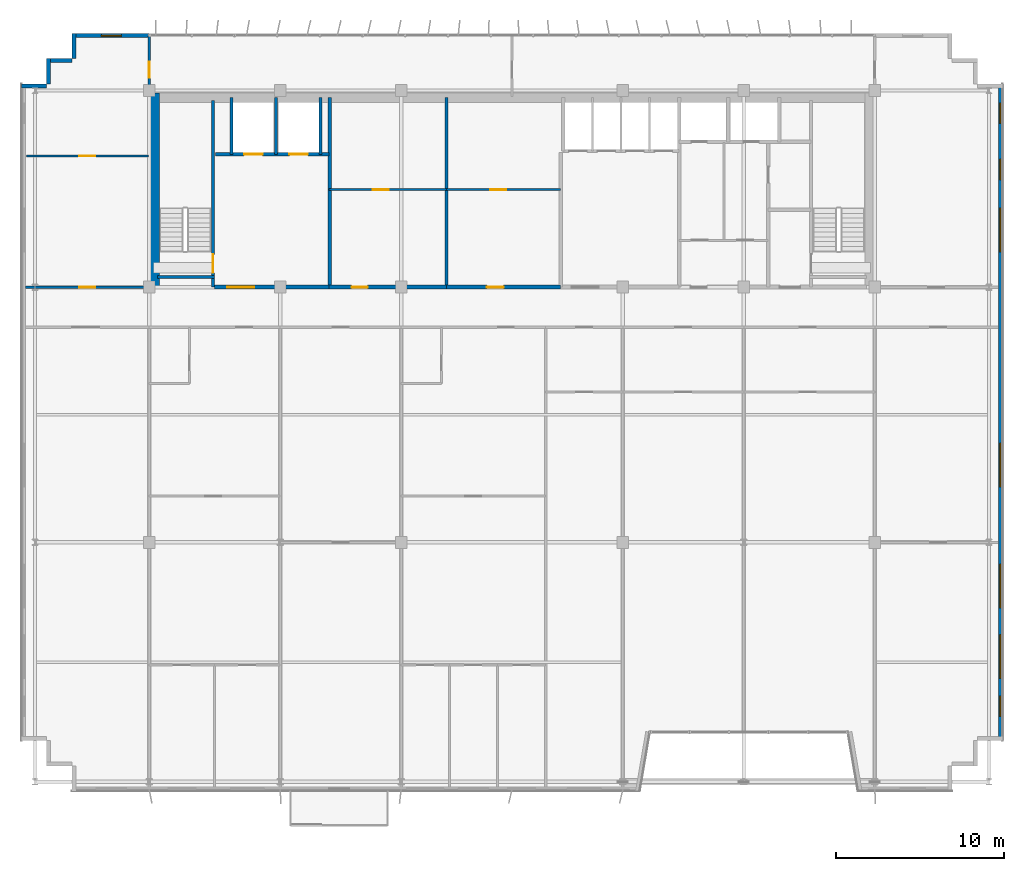
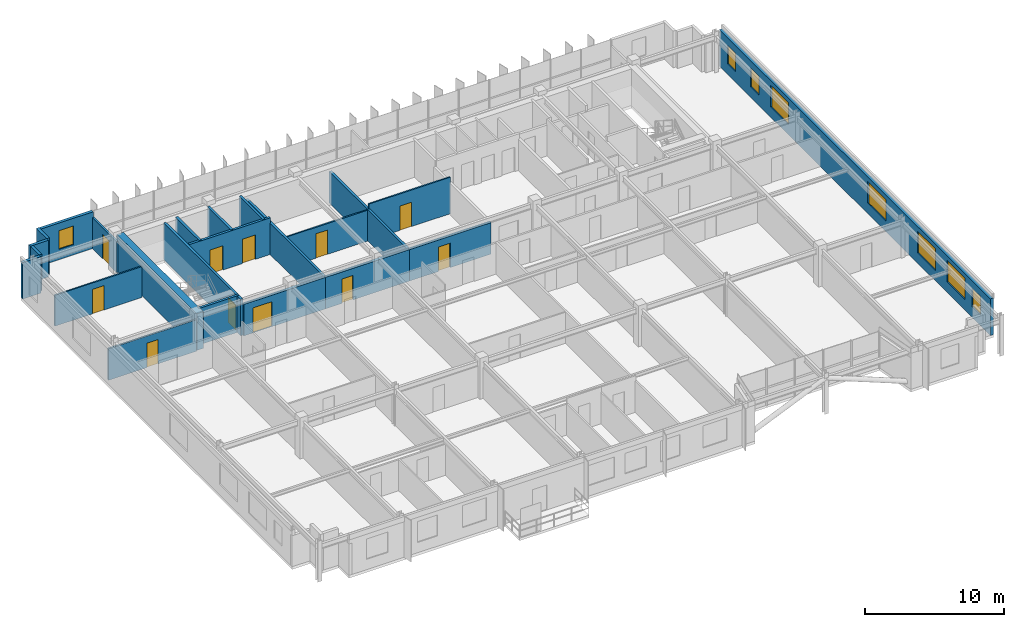
# One storey, part 23 of 27: 23 walls, 11 doors, 8 windows, 19 openings.
"""IFC4 building model written with IfcOpenShell, lengths in metres."""

from ifc_helpers import new_model, si_unit, direction, frame, frame_2d, origin, place, context, subcontext, project, spatial, rectangle, extrude, source, transform, mapped, material, layer, layer_set, type_object, element, fill, save


model = new_model("IFC4")

# Units and contexts
model_context = context("Model", 3, precision=1e-05, world=origin(), true_north=direction((0.0, 1.0)))
body_context = subcontext(model_context, "Body", "Model", "MODEL_VIEW")
ifc_project = project(units=[si_unit("LENGTHUNIT", "METRE"), si_unit("AREAUNIT", "SQUARE_METRE"), si_unit("VOLUMEUNIT", "CUBIC_METRE"), si_unit("PLANEANGLEUNIT", "RADIAN"), si_unit("MASSUNIT", "GRAM", prefix="KILO")], contexts=[model_context])

# Site, building, storey
site_placement = place(None, origin())
site = spatial("IfcSite", under=ifc_project, at=site_placement, CompositionType="ELEMENT")
building_placement = place(site_placement, origin())
building = spatial("IfcBuilding", under=site, at=building_placement, Name="Trelvane Seafront Commons", CompositionType="ELEMENT")
storey_placement = place(building_placement, frame((0.0, 0.0, 237.300048828125)))
storey = spatial("IfcBuildingStorey", under=building, at=storey_placement, Name="L62", CompositionType="ELEMENT", Elevation=237.300048828125)

# Wall, opening, window
ifc_material_1 = material(Name="Precast concrete C40/50", Category="concrete")
ifc_layer_1 = layer(ifc_material_1, 0.239990234375, Name="ARCH-WALL-EXT240")
ifc_layer_set_1 = layer_set([ifc_layer_1], Name="Precast concrete C40/50")
wall_type_1 = type_object("IfcWallType", Name="ARCH-WALL-EXT240", PredefinedType="SOLIDWALL", material=ifc_layer_set_1)
wall_1_placement = place(storey_placement, frame((11.10009765625, 48.3701171875, 0.0), z_axis=(0.0, 0.0, 1.0), x_axis=(1.0, 0.0, 0.0)))
wall_1 = element("IfcWall", 1, at=wall_1_placement, inside=storey, type_object=wall_type_1, Name="EW-L62-NW-1253", PredefinedType="SOLIDWALL", context=body_context, shape_type="SweptSolid", body=[
    extrude(rectangle(XDim=4.5, YDim=0.239990234375, at=frame_2d((2.25, 0.0))), origin(), (0.0, 0.0, 1.0), 3.219970703125),
])
opening_1_placement = place(wall_1_placement, frame((1.64990234375, 0.0, 0.89990234375)))
opening_1 = element("IfcOpeningElement", 2, at=opening_1_placement, cuts=wall_1, Name="Opening W05", PredefinedType="OPENING", context=body_context, shape_type="SweptSolid", body=[
    extrude(rectangle(XDim=1.199951171875, YDim=1.64990234375, at=frame_2d((0.60009765625, 0.824951171875))), frame((0.0, 0.1298828125, 0.0), z_axis=(0.0, -1.0, 0.0), x_axis=(1.0, 0.0, 0.0)), (0.0, 0.0, 1.0), 0.260009765625),
])
ifc_material_2 = material(Name="Low-E coastal double glazing", Category="glass")
window_type_1 = type_object("IfcWindowType", Name="ARCH-WIN-W05", PartitioningType="SINGLE_PANEL", PredefinedType="WINDOW", material=ifc_material_2)
shared_shape_1 = source(origin(), body_context, "Body", "SweptSolid", [
    extrude(rectangle(XDim=1.199951171875, YDim=1.64990234375, at=frame_2d((0.60009765625, 0.824951171875))), frame((0.0, 0.030029296875, 0.0), z_axis=(0.0, -1.0, 0.0), x_axis=(1.0, 0.0, 0.0)), (0.0, 0.0, 1.0), 0.06005859375),
])
window_1_placement = place(opening_1_placement, origin())
window_1 = element("IfcWindow", 3, at=window_1_placement, inside=storey, type_object=window_type_1, Name="WIN-L62-01511", OverallHeight=1.64990234375, OverallWidth=1.199951171875, PartitioningType="SINGLE_PANEL", PredefinedType="WINDOW", context=body_context, shape_type="MappedRepresentation", body=[
    mapped(shared_shape_1, transform((0.0, 0.0, 0.0), x_axis=(1.0, 0.0, 0.0), y_axis=(0.0, 1.0, 0.0), z_axis=(0.0, 0.0, 1.0), scale=1.0)),
])
fill(opening_1, window_1)

# Walls
for number, where, z_axis, x_axis, name in (
    (4, (8.0, 45.3798828125, 0.0), (0.0, 0.0, 1.0), (1.0, 0.0, 0.0), "EW-L62-01259"),
    (5, (9.6201171875, 45.5, 0.0), (0.0, 0.0, 1.0), (0.0, 1.0, 0.0), "EW-L62-01260"),
    (6, (9.5, 46.8798828125, 0.0), (0.0, 0.0, 1.0), (1.0, 0.0, 0.0), "EW-L62-01261"),
    (7, (11.1201171875, 47.0, 0.0), (0.0, 0.0, 1.0), (0.0, 1.0, 0.0), "EW-L62-01262"),
):
    element("IfcWall", number, at=place(storey_placement, frame(where, z_axis=z_axis, x_axis=x_axis)), inside=storey, type_object=wall_type_1, Name=name, PredefinedType="SOLIDWALL", context=body_context, shape_type="SweptSolid", body=[
        extrude(rectangle(XDim=1.5, YDim=0.239990234375, at=frame_2d((0.75, 0.0))), origin(), (0.0, 0.0, 1.0), 3.219970703125),
    ])

# Wall, openings, windows
wall_2_placement = place(storey_placement, frame((66.280029296875, 45.5, 0.0), z_axis=(0.0, 0.0, 1.0), x_axis=(0.0, -1.0, 0.0)))
wall_2 = element("IfcWall", 8, at=wall_2_placement, inside=storey, type_object=wall_type_1, Name="EW-L62-01267", PredefinedType="SOLIDWALL", context=body_context, shape_type="SweptSolid", body=[
    extrude(rectangle(XDim=39.10009765625, YDim=0.239990234375, at=frame_2d((19.550048828125, 0.0))), origin(), (0.0, 0.0, 1.0), 3.219970703125),
])
opening_2_placement = place(wall_2_placement, frame((36.449951171875, 0.0, 0.919921875)))
opening_2 = element("IfcOpeningElement", 9, at=opening_2_placement, cuts=wall_2, Name="Opening W05", PredefinedType="OPENING", context=body_context, shape_type="SweptSolid", body=[
    extrude(rectangle(XDim=1.199951171875, YDim=1.64990234375, at=frame_2d((0.60009765625, 0.824951171875))), frame((0.0, 0.1298828125, 0.0), z_axis=(0.0, -1.0, 0.0), x_axis=(1.0, 0.0, 0.0)), (0.0, 0.0, 1.0), 0.260009765625),
])
opening_3_placement = place(wall_2_placement, frame((32.800048828125, 0.0, 0.919921875)))
opening_3 = element("IfcOpeningElement", 10, at=opening_3_placement, cuts=wall_2, Name="Opening W04", PredefinedType="OPENING", context=body_context, shape_type="SweptSolid", body=[
    extrude(rectangle(XDim=2.60009765625, YDim=1.89990234375, at=frame_2d((1.300048828125, 0.949951171875))), frame((0.0, 0.1298828125, 0.0), z_axis=(0.0, -1.0, 0.0), x_axis=(1.0, 0.0, 0.0)), (0.0, 0.0, 1.0), 0.260009765625),
])
opening_4_placement = place(wall_2_placement, frame((28.60009765625, 0.0, 0.919921875)))
opening_4 = element("IfcOpeningElement", 11, at=opening_4_placement, cuts=wall_2, Name="Opening W04", PredefinedType="OPENING", context=body_context, shape_type="SweptSolid", body=[
    extrude(rectangle(XDim=2.60009765625, YDim=1.89990234375, at=frame_2d((1.300048828125, 0.949951171875))), frame((0.0, 0.1298828125, 0.0), z_axis=(0.0, -1.0, 0.0), x_axis=(1.0, 0.0, 0.0)), (0.0, 0.0, 1.0), 0.260009765625),
])
opening_5_placement = place(wall_2_placement, frame((21.39990234375, 0.0, 0.919921875)))
opening_5 = element("IfcOpeningElement", 12, at=opening_5_placement, cuts=wall_2, Name="Opening W04", PredefinedType="OPENING", context=body_context, shape_type="SweptSolid", body=[
    extrude(rectangle(XDim=2.60009765625, YDim=1.89990234375, at=frame_2d((1.300048828125, 0.949951171875))), frame((0.0, 0.1298828125, 0.0), z_axis=(0.0, -1.0, 0.0), x_axis=(1.0, 0.0, 0.0)), (0.0, 0.0, 1.0), 0.260009765625),
])
opening_6_placement = place(wall_2_placement, frame((7.39990234375, 0.0, 0.919921875)))
opening_6 = element("IfcOpeningElement", 13, at=opening_6_placement, cuts=wall_2, Name="Opening W04", PredefinedType="OPENING", context=body_context, shape_type="SweptSolid", body=[
    extrude(rectangle(XDim=2.60009765625, YDim=1.89990234375, at=frame_2d((1.300048828125, 0.949951171875))), frame((0.0, 0.1298828125, 0.0), z_axis=(0.0, -1.0, 0.0), x_axis=(1.0, 0.0, 0.0)), (0.0, 0.0, 1.0), 0.260009765625),
])
opening_7_placement = place(wall_2_placement, frame((4.5, 0.0, 0.919921875)))
opening_7 = element("IfcOpeningElement", 14, at=opening_7_placement, cuts=wall_2, Name="Opening W05", PredefinedType="OPENING", context=body_context, shape_type="SweptSolid", body=[
    extrude(rectangle(XDim=1.199951171875, YDim=1.64990234375, at=frame_2d((0.60009765625, 0.824951171875))), frame((0.0, 0.1298828125, 0.0), z_axis=(0.0, -1.0, 0.0), x_axis=(1.0, 0.0, 0.0)), (0.0, 0.0, 1.0), 0.260009765625),
])
opening_8_placement = place(wall_2_placement, frame((1.14990234375, 0.0, 0.919921875)))
opening_8 = element("IfcOpeningElement", 15, at=opening_8_placement, cuts=wall_2, Name="Opening W05", PredefinedType="OPENING", context=body_context, shape_type="SweptSolid", body=[
    extrude(rectangle(XDim=1.199951171875, YDim=1.64990234375, at=frame_2d((0.60009765625, 0.824951171875))), frame((0.0, 0.1298828125, 0.0), z_axis=(0.0, -1.0, 0.0), x_axis=(1.0, 0.0, 0.0)), (0.0, 0.0, 1.0), 0.260009765625),
])
window_type_2 = type_object("IfcWindowType", Name="ARCH-WIN-W04", PartitioningType="SINGLE_PANEL", PredefinedType="WINDOW", material=ifc_material_2)
shared_shape_2 = source(origin(), body_context, "Body", "SweptSolid", [
    extrude(rectangle(XDim=2.60009765625, YDim=1.89990234375, at=frame_2d((1.300048828125, 0.949951171875))), frame((0.0, 0.030029296875, 0.0), z_axis=(0.0, -1.0, 0.0), x_axis=(1.0, 0.0, 0.0)), (0.0, 0.0, 1.0), 0.06005859375),
])
window_2_placement = place(opening_3_placement, origin())
window_2 = element("IfcWindow", 16, at=window_2_placement, inside=storey, type_object=window_type_2, Name="WIN-L62-EW-01520", OverallHeight=1.89990234375, OverallWidth=2.60009765625, PartitioningType="SINGLE_PANEL", PredefinedType="WINDOW", context=body_context, shape_type="MappedRepresentation", body=[
    mapped(shared_shape_2, transform((0.0, 0.0, 0.0), x_axis=(1.0, 0.0, 0.0), y_axis=(0.0, 1.0, 0.0), z_axis=(0.0, 0.0, 1.0), scale=1.0)),
])
fill(opening_3, window_2)
window_3_placement = place(opening_4_placement, origin())
window_3 = element("IfcWindow", 17, at=window_3_placement, inside=storey, type_object=window_type_2, Name="WIN-L62-EW-01521", OverallHeight=1.89990234375, OverallWidth=2.60009765625, PartitioningType="SINGLE_PANEL", PredefinedType="WINDOW", context=body_context, shape_type="MappedRepresentation", body=[
    mapped(shared_shape_2, transform((0.0, 0.0, 0.0), x_axis=(1.0, 0.0, 0.0), y_axis=(0.0, 1.0, 0.0), z_axis=(0.0, 0.0, 1.0), scale=1.0)),
])
fill(opening_4, window_3)
window_4_placement = place(opening_5_placement, origin())
window_4 = element("IfcWindow", 18, at=window_4_placement, inside=storey, type_object=window_type_2, Name="WIN-L62-EW-01522", OverallHeight=1.89990234375, OverallWidth=2.60009765625, PartitioningType="SINGLE_PANEL", PredefinedType="WINDOW", context=body_context, shape_type="MappedRepresentation", body=[
    mapped(shared_shape_2, transform((0.0, 0.0, 0.0), x_axis=(1.0, 0.0, 0.0), y_axis=(0.0, 1.0, 0.0), z_axis=(0.0, 0.0, 1.0), scale=1.0)),
])
fill(opening_5, window_4)
window_5_placement = place(opening_6_placement, origin())
window_5 = element("IfcWindow", 19, at=window_5_placement, inside=storey, type_object=window_type_2, Name="WIN-L62-EW-01523", OverallHeight=1.89990234375, OverallWidth=2.60009765625, PartitioningType="SINGLE_PANEL", PredefinedType="WINDOW", context=body_context, shape_type="MappedRepresentation", body=[
    mapped(shared_shape_2, transform((0.0, 0.0, 0.0), x_axis=(1.0, 0.0, 0.0), y_axis=(0.0, 1.0, 0.0), z_axis=(0.0, 0.0, 1.0), scale=1.0)),
])
fill(opening_6, window_5)
window_6_placement = place(opening_2_placement, origin())
window_6 = element("IfcWindow", 20, at=window_6_placement, inside=storey, type_object=window_type_1, Name="WIN-L62-EW-01519", OverallHeight=1.64990234375, OverallWidth=1.199951171875, PartitioningType="SINGLE_PANEL", PredefinedType="WINDOW", context=body_context, shape_type="MappedRepresentation", body=[
    mapped(shared_shape_1, transform((0.0, 0.0, 0.0), x_axis=(1.0, 0.0, 0.0), y_axis=(0.0, 1.0, 0.0), z_axis=(0.0, 0.0, 1.0), scale=1.0)),
])
fill(opening_2, window_6)
window_7_placement = place(opening_7_placement, origin())
window_7 = element("IfcWindow", 21, at=window_7_placement, inside=storey, type_object=window_type_1, Name="WIN-L62-EW-01524", OverallHeight=1.64990234375, OverallWidth=1.199951171875, PartitioningType="SINGLE_PANEL", PredefinedType="WINDOW", context=body_context, shape_type="MappedRepresentation", body=[
    mapped(shared_shape_1, transform((0.0, 0.0, 0.0), x_axis=(1.0, 0.0, 0.0), y_axis=(0.0, 1.0, 0.0), z_axis=(0.0, 0.0, 1.0), scale=1.0)),
])
fill(opening_7, window_7)
window_8_placement = place(opening_8_placement, origin())
window_8 = element("IfcWindow", 22, at=window_8_placement, inside=storey, type_object=window_type_1, Name="WIN-L62-EW-01525", OverallHeight=1.64990234375, OverallWidth=1.199951171875, PartitioningType="SINGLE_PANEL", PredefinedType="WINDOW", context=body_context, shape_type="MappedRepresentation", body=[
    mapped(shared_shape_1, transform((0.0, 0.0, 0.0), x_axis=(1.0, 0.0, 0.0), y_axis=(0.0, 1.0, 0.0), z_axis=(0.0, 0.0, 1.0), scale=1.0)),
])
fill(opening_8, window_8)

# Wall, opening, door
ifc_material_3 = material(Name="Concrete C40/50", Category="concrete")
ifc_layer_2 = layer(ifc_material_3, 0.25, Name="ARCH-WALL-FIRE250")
ifc_layer_set_2 = layer_set([ifc_layer_2], Name="Concrete C40/50")
wall_type_2 = type_object("IfcWallType", Name="ARCH-WALL-FIRE250", PredefinedType="PARTITIONING", material=ifc_layer_set_2)
wall_3_placement = place(storey_placement, frame((19.5, 33.39990234375, 0.0), z_axis=(0.0, 0.0, 1.0), x_axis=(1.0, 0.0, 0.0)))
wall_3 = element("IfcWall", 23, at=wall_3_placement, inside=storey, type_object=wall_type_2, Name="W-L62-CS-FFL-013", PredefinedType="PARTITIONING", context=body_context, shape_type="SweptSolid", body=[
    extrude(rectangle(XDim=6.800048828125, YDim=0.25, at=frame_2d((3.39990234375, 0.0))), origin(), (0.0, 0.0, 1.0), 2.77001953125),
])
opening_9_placement = place(wall_3_placement, frame((0.75, 0.0, 0.0)))
opening_9 = element("IfcOpeningElement", 24, at=opening_9_placement, cuts=wall_3, Name="Opening FD-L62-05", PredefinedType="OPENING", context=body_context, shape_type="SweptSolid", body=[
    extrude(rectangle(XDim=1.60009765625, YDim=2.199951171875, at=frame_2d((0.800048828125, 1.10009765625))), frame((0.0, 0.135009765625, 0.0), z_axis=(0.0, -1.0, 0.0), x_axis=(1.0, 0.0, 0.0)), (0.0, 0.0, 1.0), 0.27001953125),
])
ifc_material_4 = material(Name="Powder-coated aluminium frame", Category="aluminium")
door_type_1 = type_object("IfcDoorType", Name="ARCH-DR-FD60-1600", OperationType="DOUBLE_DOOR_SINGLE_SWING", PredefinedType="DOOR", material=ifc_material_4)
shared_shape_3 = source(origin(), body_context, "Body", "SweptSolid", [
    extrude(rectangle(XDim=1.60009765625, YDim=2.199951171875, at=frame_2d((0.800048828125, 1.10009765625))), frame((0.0, 0.02490234375, 0.0), z_axis=(0.0, -1.0, 0.0), x_axis=(1.0, 0.0, 0.0)), (0.0, 0.0, 1.0), 0.050048828125),
])
door_1_placement = place(opening_9_placement, origin())
door_1 = element("IfcDoor", 25, at=door_1_placement, inside=storey, type_object=door_type_1, Name="L62 Firefighting Lift Lobby Double Fire Door", OperationType="DOUBLE_DOOR_SINGLE_SWING", OverallHeight=2.199951171875, OverallWidth=1.60009765625, PredefinedType="DOOR", context=body_context, shape_type="MappedRepresentation", body=[
    mapped(shared_shape_3, transform((0.0, 0.0, 0.0), x_axis=(1.0, 0.0, 0.0), y_axis=(0.0, 1.0, 0.0), z_axis=(0.0, 0.0, 1.0), scale=1.0)),
])
fill(opening_9, door_1)

wall_4_placement = place(storey_placement, frame((26.300048828125, 33.39990234375, 0.0), z_axis=(0.0, 0.0, 1.0), x_axis=(1.0, 0.0, 0.0)))
wall_4 = element("IfcWall", 26, at=wall_4_placement, inside=storey, type_object=wall_type_2, Name="W-L62-CS-FPL-024", PredefinedType="PARTITIONING", context=body_context, shape_type="SweptSolid", body=[
    extrude(rectangle(XDim=7.0, YDim=0.25, at=frame_2d((3.5, 0.0))), origin(), (0.0, 0.0, 1.0), 2.77001953125),
])
opening_10_placement = place(wall_4_placement, frame((1.35009765625, 0.0, 0.0)))
opening_10 = element("IfcOpeningElement", 27, at=opening_10_placement, cuts=wall_4, Name="Opening D-L62-12", PredefinedType="OPENING", context=body_context, shape_type="SweptSolid", body=[
    extrude(rectangle(XDim=0.949951171875, YDim=2.14990234375, at=frame_2d((0.47509765625, 1.074951171875))), frame((0.0, 0.135009765625, 0.0), z_axis=(0.0, -1.0, 0.0), x_axis=(1.0, 0.0, 0.0)), (0.0, 0.0, 1.0), 0.27001953125),
])
ifc_material_5 = material(Name="Acoustic timber door leaf", Category="wood")
door_type_2 = type_object("IfcDoorType", Name="ARCH-DR-INT950", OperationType="NOTDEFINED", PredefinedType="DOOR", material=ifc_material_5)
shared_shape_4 = source(origin(), body_context, "Body", "SweptSolid", [
    extrude(rectangle(XDim=0.949951171875, YDim=2.14990234375, at=frame_2d((0.47509765625, 1.074951171875))), frame((0.0, 0.02490234375, 0.0), z_axis=(0.0, -1.0, 0.0), x_axis=(1.0, 0.0, 0.0)), (0.0, 0.0, 1.0), 0.050048828125),
])
door_2_placement = place(opening_10_placement, origin())
door_2 = element("IfcDoor", 28, at=door_2_placement, inside=storey, type_object=door_type_2, Name="L62 Floor Pantry Entrance Door", OperationType="SINGLE_SWING_RIGHT", OverallHeight=2.14990234375, OverallWidth=0.949951171875, PredefinedType="DOOR", context=body_context, shape_type="MappedRepresentation", body=[
    mapped(shared_shape_4, transform((0.0, 0.0, 0.0), x_axis=(1.0, 0.0, 0.0), y_axis=(0.0, 1.0, 0.0), z_axis=(0.0, 0.0, 1.0), scale=1.0)),
])
fill(opening_10, door_2)

wall_5_placement = place(storey_placement, frame((33.300048828125, 33.39990234375, 0.0), z_axis=(0.0, 0.0, 1.0), x_axis=(1.0, 0.0, 0.0)))
wall_5 = element("IfcWall", 29, at=wall_5_placement, inside=storey, type_object=wall_type_2, Name="W-L62-CS-FPM-025", PredefinedType="PARTITIONING", context=body_context, shape_type="SweptSolid", body=[
    extrude(rectangle(XDim=6.800048828125, YDim=0.25, at=frame_2d((3.39990234375, 0.0))), origin(), (0.0, 0.0, 1.0), 2.77001953125),
])
opening_11_placement = place(wall_5_placement, frame((2.39990234375, 0.0, 0.0)))
opening_11 = element("IfcOpeningElement", 30, at=opening_11_placement, cuts=wall_5, Name="Opening FD-L62-13", PredefinedType="OPENING", context=body_context, shape_type="SweptSolid", body=[
    extrude(rectangle(XDim=1.0, YDim=2.14990234375, at=frame_2d((0.5, 1.074951171875))), frame((0.0, 0.135009765625, 0.0), z_axis=(0.0, -1.0, 0.0), x_axis=(1.0, 0.0, 0.0)), (0.0, 0.0, 1.0), 0.27001953125),
])
door_type_3 = type_object("IfcDoorType", Name="ARCH-DR-FD60-1000", OperationType="NOTDEFINED", PredefinedType="DOOR", material=ifc_material_4)
shared_shape_5 = source(origin(), body_context, "Body", "SweptSolid", [
    extrude(rectangle(XDim=1.0, YDim=2.14990234375, at=frame_2d((0.5, 1.074951171875))), frame((0.0, 0.02490234375, 0.0), z_axis=(0.0, -1.0, 0.0), x_axis=(1.0, 0.0, 0.0)), (0.0, 0.0, 1.0), 0.050048828125),
])
door_3_placement = place(opening_11_placement, origin())
door_3 = element("IfcDoor", 31, at=door_3_placement, inside=storey, type_object=door_type_3, Name="L62 Trunk Storage Door", OperationType="SINGLE_SWING_LEFT", OverallHeight=2.14990234375, OverallWidth=1.0, PredefinedType="DOOR", context=body_context, shape_type="MappedRepresentation", body=[
    mapped(shared_shape_5, transform((0.0, 0.0, 0.0), x_axis=(1.0, 0.0, 0.0), y_axis=(0.0, 1.0, 0.0), z_axis=(0.0, 0.0, 1.0), scale=1.0)),
])
fill(opening_11, door_3)

ifc_material_6 = material(Name="Gypsum Drywall Acoustic Partition")
ifc_layer_3 = layer(ifc_material_6, 0.1201171875, Name="ARCH-WALL-PART120")
ifc_layer_set_3 = layer_set([ifc_layer_3], Name="Gypsum Drywall Acoustic Partition")
wall_type_3 = type_object("IfcWallType", Name="ARCH-WALL-PART120", PredefinedType="PARTITIONING", material=ifc_layer_set_3)
wall_6_placement = place(storey_placement, frame((26.300048828125, 39.199951171875, 0.0), z_axis=(0.0, 0.0, 1.0), x_axis=(1.0, 0.0, 0.0)))
wall_6 = element("IfcWall", 32, at=wall_6_placement, inside=storey, type_object=wall_type_3, Name="W-L62-FREED-PL-MID-014", PredefinedType="PARTITIONING", context=body_context, shape_type="SweptSolid", body=[
    extrude(rectangle(XDim=7.0, YDim=0.1201171875, at=frame_2d((3.5, 0.0))), origin(), (0.0, 0.0, 1.0), 2.719970703125),
])
opening_12_placement = place(wall_6_placement, frame((2.60009765625, 0.0, 0.0)))
opening_12 = element("IfcOpeningElement", 33, at=opening_12_placement, cuts=wall_6, Name="Opening D-L62-06", PredefinedType="OPENING", context=body_context, shape_type="SweptSolid", body=[
    extrude(rectangle(XDim=0.949951171875, YDim=2.14990234375, at=frame_2d((0.47509765625, 1.074951171875))), frame((0.0, 0.070068359375, 0.0), z_axis=(0.0, -1.0, 0.0), x_axis=(1.0, 0.0, 0.0)), (0.0, 0.0, 1.0), 0.14013671875),
])
door_4_placement = place(opening_12_placement, origin())
door_4 = element("IfcDoor", 34, at=door_4_placement, inside=storey, type_object=door_type_2, Name="L62 Housekeeping Store Door", OperationType="SINGLE_SWING_RIGHT", OverallHeight=2.14990234375, OverallWidth=0.949951171875, PredefinedType="DOOR", context=body_context, shape_type="MappedRepresentation", body=[
    mapped(shared_shape_4, transform((0.0, 0.0, 0.0), x_axis=(1.0, 0.0, 0.0), y_axis=(0.0, 1.0, 0.0), z_axis=(0.0, 0.0, 1.0), scale=1.0)),
])
fill(opening_12, door_4)

wall_7_placement = place(storey_placement, frame((33.300048828125, 39.199951171875, 0.0), z_axis=(0.0, 0.0, 1.0), x_axis=(1.0, 0.0, 0.0)))
wall_7 = element("IfcWall", 35, at=wall_7_placement, inside=storey, type_object=wall_type_3, Name="W-L62-FREED-PM-MID-016", PredefinedType="PARTITIONING", context=body_context, shape_type="SweptSolid", body=[
    extrude(rectangle(XDim=6.800048828125, YDim=0.1201171875, at=frame_2d((3.39990234375, 0.0))), origin(), (0.0, 0.0, 1.0), 3.219970703125),
])
opening_13_placement = place(wall_7_placement, frame((2.60009765625, 0.0, 0.0)))
opening_13 = element("IfcOpeningElement", 36, at=opening_13_placement, cuts=wall_7, Name="Opening D-L62-07", PredefinedType="OPENING", context=body_context, shape_type="SweptSolid", body=[
    extrude(rectangle(XDim=0.949951171875, YDim=2.14990234375, at=frame_2d((0.47509765625, 1.074951171875))), frame((0.0, 0.070068359375, 0.0), z_axis=(0.0, -1.0, 0.0), x_axis=(1.0, 0.0, 0.0)), (0.0, 0.0, 1.0), 0.14013671875),
])
door_5_placement = place(opening_13_placement, origin())
door_5 = element("IfcDoor", 37, at=door_5_placement, inside=storey, type_object=door_type_2, Name="L62 IT Comms Room Door", OperationType="SINGLE_SWING_LEFT", OverallHeight=2.14990234375, OverallWidth=0.949951171875, PredefinedType="DOOR", context=body_context, shape_type="MappedRepresentation", body=[
    mapped(shared_shape_4, transform((0.0, 0.0, 0.0), x_axis=(1.0, 0.0, 0.0), y_axis=(0.0, 1.0, 0.0), z_axis=(0.0, 0.0, 1.0), scale=1.0)),
])
fill(opening_13, door_5)

wall_8_placement = place(storey_placement, frame((8.300048828125, 41.199951171875, 0.0), z_axis=(0.0, 0.0, 1.0), x_axis=(1.0, 0.0, 0.0)))
wall_8 = element("IfcWall", 38, at=wall_8_placement, inside=storey, type_object=wall_type_3, Name="W-L62-NW-LGDV-035", PredefinedType="PARTITIONING", context=body_context, shape_type="SweptSolid", body=[
    extrude(rectangle(XDim=7.25, YDim=0.1201171875, at=frame_2d((3.625, 0.0))), origin(), (0.0, 0.0, 1.0), 2.719970703125),
])
opening_14_placement = place(wall_8_placement, frame((3.14990234375, 0.0, 0.0)))
opening_14 = element("IfcOpeningElement", 39, at=opening_14_placement, cuts=wall_8, Name="Opening D-L62-22", PredefinedType="OPENING", context=body_context, shape_type="SweptSolid", body=[
    extrude(rectangle(XDim=0.949951171875, YDim=2.14990234375, at=frame_2d((0.47509765625, 1.074951171875))), frame((0.0, 0.070068359375, 0.0), z_axis=(0.0, -1.0, 0.0), x_axis=(1.0, 0.0, 0.0)), (0.0, 0.0, 1.0), 0.14013671875),
])
door_6_placement = place(opening_14_placement, origin())
door_6 = element("IfcDoor", 40, at=door_6_placement, inside=storey, type_object=door_type_2, Name="L62 Door 22", OperationType="SINGLE_SWING_RIGHT", OverallHeight=2.14990234375, OverallWidth=0.949951171875, PredefinedType="DOOR", context=body_context, shape_type="MappedRepresentation", body=[
    mapped(shared_shape_4, transform((0.0, 0.0, 0.0), x_axis=(1.0, 0.0, 0.0), y_axis=(0.0, 1.0, 0.0), z_axis=(0.0, 0.0, 1.0), scale=1.0)),
])
fill(opening_14, door_6)

ifc_layer_4 = layer(ifc_material_6, 0.14990234375, Name="ARCH-WALL-PART150")
ifc_layer_set_4 = layer_set([ifc_layer_4], Name="Gypsum Drywall Acoustic Partition")
wall_type_4 = type_object("IfcWallType", Name="ARCH-WALL-PART150", PredefinedType="PARTITIONING", material=ifc_layer_set_4)
wall_9_placement = place(storey_placement, frame((8.25, 33.39990234375, 0.0), z_axis=(0.0, 0.0, 1.0), x_axis=(1.0, 0.0, 0.0)))
wall_9 = element("IfcWall", 41, at=wall_9_placement, inside=storey, type_object=wall_type_4, Name="W-L62-NW-ENT-036", PredefinedType="PARTITIONING", context=body_context, shape_type="SweptSolid", body=[
    extrude(rectangle(XDim=7.35009765625, YDim=0.14990234375, at=frame_2d((3.675048828125, 0.0))), origin(), (0.0, 0.0, 1.0), 2.77001953125),
])
opening_15_placement = place(wall_9_placement, frame((3.19189453125, 0.0, 0.0)))
opening_15 = element("IfcOpeningElement", 42, at=opening_15_placement, cuts=wall_9, Name="Opening FD-L62-23", PredefinedType="OPENING", context=body_context, shape_type="SweptSolid", body=[
    extrude(rectangle(XDim=0.949951171875, YDim=2.14990234375, at=frame_2d((0.47509765625, 1.074951171875))), frame((0.0, 0.0849609375, 0.0), z_axis=(0.0, -1.0, 0.0), x_axis=(1.0, 0.0, 0.0)), (0.0, 0.0, 1.0), 0.169921875),
])
door_type_4 = type_object("IfcDoorType", Name="ARCH-DR-FD60-950", OperationType="NOTDEFINED", PredefinedType="DOOR", material=ifc_material_4)
door_7_placement = place(opening_15_placement, origin())
door_7 = element("IfcDoor", 43, at=door_7_placement, inside=storey, type_object=door_type_4, Name="L62 NW Suite Entrance Door", OperationType="SINGLE_SWING_LEFT", OverallHeight=2.14990234375, OverallWidth=0.949951171875, PredefinedType="DOOR", context=body_context, shape_type="MappedRepresentation", body=[
    mapped(shared_shape_4, transform((0.0, 0.0, 0.0), x_axis=(1.0, 0.0, 0.0), y_axis=(0.0, 1.0, 0.0), z_axis=(0.0, 0.0, 1.0), scale=1.0)),
])
fill(opening_15, door_7)

wall_10_placement = place(storey_placement, frame((15.60009765625, 44.75, 0.0), z_axis=(0.0, 0.0, 1.0), x_axis=(0.0, 1.0, 0.0)))
wall_10 = element("IfcWall", 44, at=wall_10_placement, inside=storey, type_object=wall_type_4, Name="W-L62-N-LINK-W-039", PredefinedType="PARTITIONING", context=body_context, shape_type="SweptSolid", body=[
    extrude(rectangle(XDim=3.610107421875, YDim=0.14990234375, at=frame_2d((1.80517578125, 0.0))), origin(), (0.0, 0.0, 1.0), 2.719970703125),
])
opening_16_placement = place(wall_10_placement, frame((1.10009765625, 0.0, 0.0)))
opening_16 = element("IfcOpeningElement", 45, at=opening_16_placement, cuts=wall_10, Name="Opening FD-L62-26", PredefinedType="OPENING", context=body_context, shape_type="SweptSolid", body=[
    extrude(rectangle(XDim=0.949951171875, YDim=2.14990234375, at=frame_2d((0.47509765625, 1.074951171875))), frame((0.0, 0.0849609375, 0.0), z_axis=(0.0, -1.0, 0.0), x_axis=(1.0, 0.0, 0.0)), (0.0, 0.0, 1.0), 0.169921875),
])
door_8_placement = place(opening_16_placement, origin())
door_8 = element("IfcDoor", 46, at=door_8_placement, inside=storey, type_object=door_type_4, Name="L62 Door 26", OperationType="SINGLE_SWING_RIGHT", OverallHeight=2.14990234375, OverallWidth=0.949951171875, PredefinedType="DOOR", context=body_context, shape_type="MappedRepresentation", body=[
    mapped(shared_shape_4, transform((0.0, 0.0, 0.0), x_axis=(1.0, 0.0, 0.0), y_axis=(0.0, 1.0, 0.0), z_axis=(0.0, 0.0, 1.0), scale=1.0)),
])
fill(opening_16, door_8)

# Wall, openings, doors
ifc_layer_5 = layer(ifc_material_3, 0.199951171875, Name="ARCH-WALL-SHAFT200")
ifc_layer_set_5 = layer_set([ifc_layer_5], Name="Concrete C40/50")
wall_type_5 = type_object("IfcWallType", Name="ARCH-WALL-SHAFT200", PredefinedType="SOLIDWALL", material=ifc_layer_set_5)
wall_11_placement = place(storey_placement, frame((19.550048828125, 41.300048828125, 0.0), z_axis=(0.0, 0.0, 1.0), x_axis=(1.0, 0.0, 0.0)))
wall_11 = element("IfcWall", 47, at=wall_11_placement, inside=storey, type_object=wall_type_5, Name="W-L62-FFL-FRONT-008", PredefinedType="SOLIDWALL", context=body_context, shape_type="SweptSolid", body=[
    extrude(rectangle(XDim=6.75, YDim=0.199951171875, at=frame_2d((3.375, 0.0))), origin(), (0.0, 0.0, 1.0), 3.219970703125),
])
opening_17_placement = place(wall_11_placement, frame((1.699951171875, 0.0, 0.0)))
opening_17 = element("IfcOpeningElement", 48, at=opening_17_placement, cuts=wall_11, Name="Opening LD-FF1-L62", PredefinedType="OPENING", context=body_context, shape_type="SweptSolid", body=[
    extrude(rectangle(XDim=1.10009765625, YDim=2.14990234375, at=frame_2d((0.550048828125, 1.074951171875))), frame((0.0, 0.10986328125, 0.0), z_axis=(0.0, -1.0, 0.0), x_axis=(1.0, 0.0, 0.0)), (0.0, 0.0, 1.0), 0.219970703125),
])
opening_18_placement = place(wall_11_placement, frame((4.39990234375, 0.0, 0.0)))
opening_18 = element("IfcOpeningElement", 49, at=opening_18_placement, cuts=wall_11, Name="Opening LD-FF2-L62", PredefinedType="OPENING", context=body_context, shape_type="SweptSolid", body=[
    extrude(rectangle(XDim=1.10009765625, YDim=2.14990234375, at=frame_2d((0.550048828125, 1.074951171875))), frame((0.0, 0.10986328125, 0.0), z_axis=(0.0, -1.0, 0.0), x_axis=(1.0, 0.0, 0.0)), (0.0, 0.0, 1.0), 0.219970703125),
])
ifc_material_7 = material(Name="Stainless steel balustrade", Category="steel")
door_type_5 = type_object("IfcDoorType", Name="ARCH-DR-LD1100", OperationType="DOUBLE_DOOR_SLIDING", PredefinedType="DOOR", material=ifc_material_7)
shared_shape_6 = source(origin(), body_context, "Body", "SweptSolid", [
    extrude(rectangle(XDim=1.10009765625, YDim=2.14990234375, at=frame_2d((0.550048828125, 1.074951171875))), frame((0.0, 0.02490234375, 0.0), z_axis=(0.0, -1.0, 0.0), x_axis=(1.0, 0.0, 0.0)), (0.0, 0.0, 1.0), 0.050048828125),
])
door_9_placement = place(opening_17_placement, origin())
door_9 = element("IfcDoor", 50, at=door_9_placement, inside=storey, type_object=door_type_5, Name="L62 Firefighting Lift FFL-1 Landing Door", OperationType="DOUBLE_DOOR_SLIDING", OverallHeight=2.14990234375, OverallWidth=1.10009765625, PredefinedType="DOOR", context=body_context, shape_type="MappedRepresentation", body=[
    mapped(shared_shape_6, transform((0.0, 0.0, 0.0), x_axis=(1.0, 0.0, 0.0), y_axis=(0.0, 1.0, 0.0), z_axis=(0.0, 0.0, 1.0), scale=1.0)),
])
fill(opening_17, door_9)
door_10_placement = place(opening_18_placement, origin())
door_10 = element("IfcDoor", 51, at=door_10_placement, inside=storey, type_object=door_type_5, Name="L62 Firefighting Lift FFL-2 Landing Door", OperationType="DOUBLE_DOOR_SLIDING", OverallHeight=2.14990234375, OverallWidth=1.10009765625, PredefinedType="DOOR", context=body_context, shape_type="MappedRepresentation", body=[
    mapped(shared_shape_6, transform((0.0, 0.0, 0.0), x_axis=(1.0, 0.0, 0.0), y_axis=(0.0, 1.0, 0.0), z_axis=(0.0, 0.0, 1.0), scale=1.0)),
])
fill(opening_18, door_10)

# Walls
for number, where, z_axis, x_axis, name in (
    (52, (20.5, 41.300048828125, 0.0), (0.0, 0.0, 1.0), (0.0, 1.0, 0.0), "W-L62-FFL-SH-W-009"),
    (53, (23.14990234375, 41.300048828125, 0.0), (0.0, 0.0, 1.0), (0.0, 1.0, 0.0), "W-L62-FFL-DIV-010"),
    (54, (25.800048828125, 41.300048828125, 0.0), (0.0, 0.0, 1.0), (0.0, 1.0, 0.0), "W-L62-FFL-SH-E-011"),
):
    element("IfcWall", number, at=place(storey_placement, frame(where, z_axis=z_axis, x_axis=x_axis)), inside=storey, type_object=wall_type_5, Name=name, PredefinedType="SOLIDWALL", context=body_context, shape_type="SweptSolid", body=[
        extrude(rectangle(XDim=3.39990234375, YDim=0.199951171875, at=frame_2d((1.699951171875, 0.0))), origin(), (0.0, 0.0, 1.0), 3.219970703125),
    ])
for number, where, z_axis, x_axis, name in (
    (55, (26.35009765625, 33.39990234375, 0.0), (0.0, 0.0, 1.0), (0.0, 1.0, 0.0), "W-L62-FFL-EAST-012"),
    (56, (33.300048828125, 33.39990234375, 0.0), (0.0, 0.0, 1.0), (0.0, 1.0, 0.0), "W-L62-FREED-PL-E-015"),
):
    element("IfcWall", number, at=place(storey_placement, frame(where, z_axis=z_axis, x_axis=x_axis)), inside=storey, type_object=wall_type_5, Name=name, PredefinedType="SOLIDWALL", context=body_context, shape_type="SweptSolid", body=[
        extrude(rectangle(XDim=11.300048828125, YDim=0.199951171875, at=frame_2d((5.64990234375, 0.0))), origin(), (0.0, 0.0, 1.0), 2.77001953125),
    ])
ifc_material_8 = material(Name="Concrete C50/60", Category="concrete")
ifc_layer_6 = layer(ifc_material_8, 0.550048828125, Name="STR-WALL-CORE550")
ifc_layer_set_6 = layer_set([ifc_layer_6], Name="Concrete C50/60")
wall_type_6 = type_object("IfcWallType", Name="STR-WALL-CORE550", PredefinedType="SHEAR", material=ifc_layer_set_6)
wall_12_placement = place(storey_placement, frame((15.925048828125, 33.39990234375, 0.0), z_axis=(0.0, 0.0, 1.0), x_axis=(0.0, 1.0, 0.0)))
element("IfcWall", 57, at=wall_12_placement, inside=storey, type_object=wall_type_6, Name="W-L62-CW-END-002", PredefinedType="SHEAR", context=body_context, shape_type="SweptSolid", body=[
    extrude(rectangle(XDim=11.550048828125, YDim=0.550048828125, at=frame_2d((5.77490234375, 0.0))), origin(), (0.0, 0.0, 1.0), 3.219970703125),
])
ifc_layer_7 = layer(ifc_material_8, 0.199951171875, Name="STR-WALL-STAIR200")
ifc_layer_set_7 = layer_set([ifc_layer_7], Name="Concrete C50/60")
wall_type_7 = type_object("IfcWallType", Name="STR-WALL-STAIR200", PredefinedType="SHEAR", material=ifc_layer_set_7)
wall_13_placement = place(storey_placement, frame((16.10009765625, 34.0, 0.0), z_axis=(0.0, 0.0, 1.0), x_axis=(1.0, 0.0, 0.0)))
element("IfcWall", 58, at=wall_13_placement, inside=storey, type_object=wall_type_7, Name="W-L62-ST1-S-004", PredefinedType="SHEAR", context=body_context, shape_type="SweptSolid", body=[
    extrude(rectangle(XDim=3.39990234375, YDim=0.199951171875, at=frame_2d((1.699951171875, 0.0))), origin(), (0.0, 0.0, 1.0), 3.219970703125),
])

# Wall, opening, door
wall_14_placement = place(storey_placement, frame((19.39990234375, 33.39990234375, 0.0), z_axis=(0.0, 0.0, 1.0), x_axis=(0.0, 1.0, 0.0)))
wall_14 = element("IfcWall", 59, at=wall_14_placement, inside=storey, type_object=wall_type_7, Name="W-L62-ST1-E-005", PredefinedType="SHEAR", context=body_context, shape_type="SweptSolid", body=[
    extrude(rectangle(XDim=11.10009765625, YDim=0.199951171875, at=frame_2d((5.550048828125, 0.0))), origin(), (0.0, 0.0, 1.0), 3.219970703125),
])
opening_19_placement = place(wall_14_placement, frame((0.85009765625, 0.0, 0.0)))
opening_19 = element("IfcOpeningElement", 60, at=opening_19_placement, cuts=wall_14, Name="Opening ST-D1-L62", PredefinedType="OPENING", context=body_context, shape_type="SweptSolid", body=[
    extrude(rectangle(XDim=1.10009765625, YDim=2.14990234375, at=frame_2d((0.550048828125, 1.074951171875))), frame((0.0, 0.10986328125, 0.0), z_axis=(0.0, -1.0, 0.0), x_axis=(1.0, 0.0, 0.0)), (0.0, 0.0, 1.0), 0.219970703125),
])
door_type_6 = type_object("IfcDoorType", Name="ARCH-DR-FD90-1100", OperationType="NOTDEFINED", PredefinedType="DOOR", material=ifc_material_4)
door_11_placement = place(opening_19_placement, origin())
door_11 = element("IfcDoor", 61, at=door_11_placement, inside=storey, type_object=door_type_6, Name="L62 Stair ST-1 Lobby Fire Door", OperationType="SINGLE_SWING_LEFT", OverallHeight=2.14990234375, OverallWidth=1.10009765625, PredefinedType="DOOR", context=body_context, shape_type="MappedRepresentation", body=[
    mapped(shared_shape_6, transform((0.0, 0.0, 0.0), x_axis=(1.0, 0.0, 0.0), y_axis=(0.0, 1.0, 0.0), z_axis=(0.0, 0.0, 1.0), scale=1.0)),
])
fill(opening_19, door_11)

save(model, "model.ifc")
